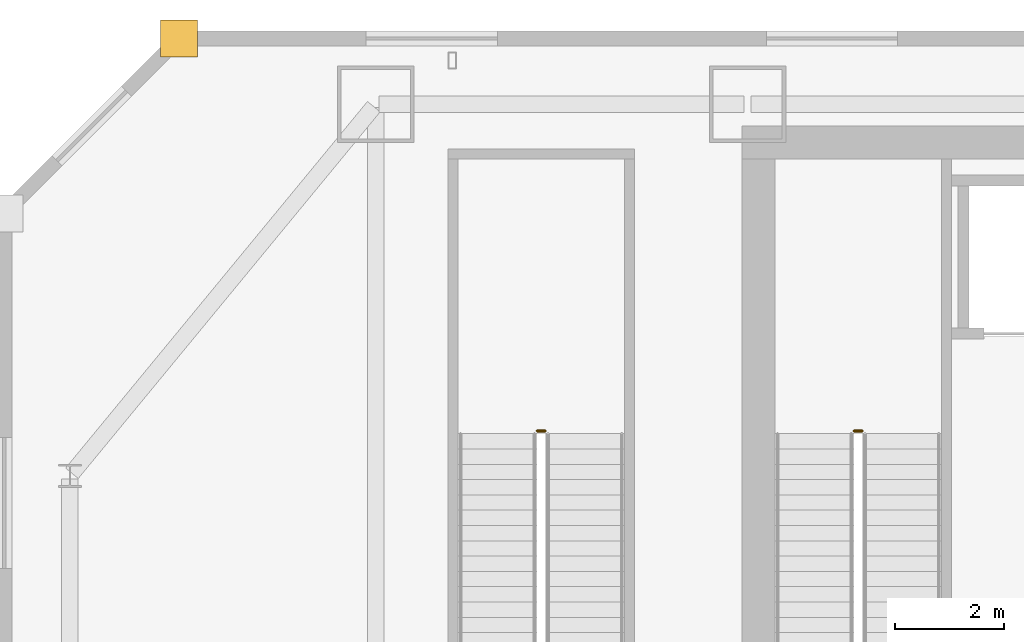
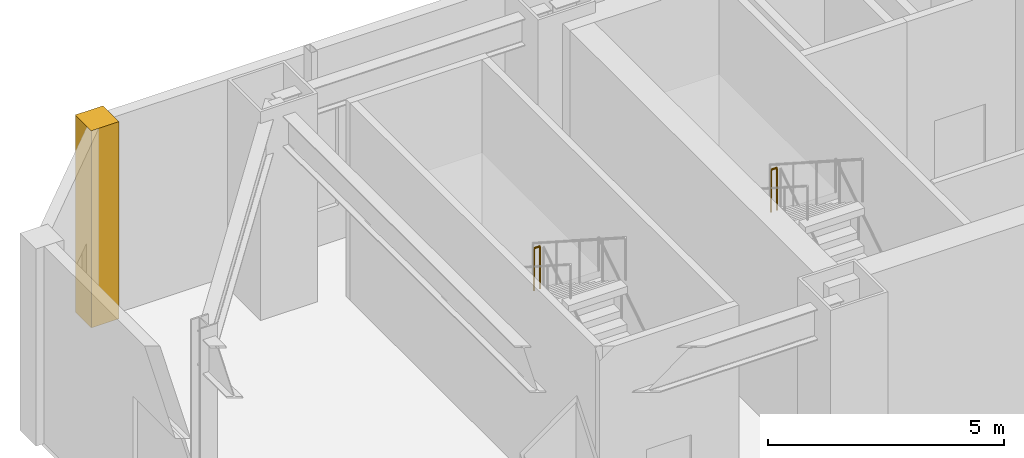
# One storey, part 48 of 52: 2 railings, 1 covering.
"""IFC4 building model written with IfcOpenShell, lengths in metres."""

from ifc_helpers import new_model, si_unit, direction, frame, origin, origin_2d, place, context, subcontext, project, spatial, polyline, circle, outline, extrude, material, layer, layer_set, type_object, element, save


model = new_model("IFC4")

# Units and contexts
model_context = context("Model", 3, precision=1e-05, world=origin(), true_north=direction((0.0, 1.0)))
body_context = subcontext(model_context, "Body", "Model", "MODEL_VIEW")
ifc_project = project(units=[si_unit("LENGTHUNIT", "METRE"), si_unit("AREAUNIT", "SQUARE_METRE"), si_unit("VOLUMEUNIT", "CUBIC_METRE"), si_unit("PLANEANGLEUNIT", "RADIAN"), si_unit("MASSUNIT", "GRAM", prefix="KILO")], contexts=[model_context])

# Site, building, storey
site_placement = place(None, origin())
site = spatial("IfcSite", under=ifc_project, at=site_placement, CompositionType="ELEMENT")
building_placement = place(site_placement, origin())
building = spatial("IfcBuilding", under=site, at=building_placement, Name="Saevonmaru Cultural Tower", CompositionType="ELEMENT")
storey_placement = place(building_placement, frame((0.0, 0.0, 11.39990234375)))
storey = spatial("IfcBuildingStorey", under=building, at=storey_placement, Name="L02", CompositionType="ELEMENT", Elevation=11.39990234375)

# Covering
ifc_material_1 = material(Name="Satin Bronze Anodised Aluminium", Category="aluminium")
ifc_layer = layer(ifc_material_1, 0.679931640625, Name="Satin Bronze Anodised Aluminium")
ifc_layer_set = layer_set([ifc_layer], Name="Satin Bronze Anodised Aluminium")
covering_type = type_object("IfcCoveringType", Name="CV-CORNER-CLAD", PredefinedType="CLADDING", material=ifc_layer_set)
covering_placement = place(storey_placement, origin())
element("IfcCovering", 1, at=covering_placement, inside=storey, type_object=covering_type, Name="L02 Podium Bronze Corner Cladding Pier 7", PredefinedType="CLADDING", context=body_context, shape_type="SweptSolid", body=[
    extrude(outline(polyline([(2.860107421875, 55.659912109375), (3.5400390625, 55.659912109375), (3.5400390625, 56.340087890625), (2.860107421875, 56.340087890625), (2.860107421875, 55.659912109375)])), origin(), (0.0, 0.0, 1.0), 5.10009765625),
])

# Railings
ifc_material_2 = material(Name="Architectural Painted Steel", Category="steel")
railing_type = type_object("IfcRailingType", Name="RL-STAIR-GUARD", PredefinedType="GUARDRAIL", material=ifc_material_2)
for number, where, name in (
    (2, (15.699951171875, 48.820068359375, 2.7001953125), "L02 ST-1 stair guard 2"),
    (3, (9.89990234375, 48.820068359375, 2.7001953125), "L02 ST-3 stair guard 2"),
):
    element("IfcRailing", number, at=place(storey_placement, frame(where)), inside=storey, type_object=railing_type, Name=name, PredefinedType="GUARDRAIL", context=body_context, shape_type="SweptSolid", body=[
        extrude(circle(Radius=0.02392578125, at=origin_2d()), frame((0.0, 0.0, 1.09619140625), z_axis=(-1.0, 0.0, 0.0), x_axis=(0.0, -1.0, 0.0)), (0.0, 0.0, 1.0), 0.14990234375),
        extrude(circle(Radius=0.02099609375, at=origin_2d()), origin(), (0.0, 0.0, 1.0), 1.072021484375),
        extrude(circle(Radius=0.02099609375, at=origin_2d()), frame((-0.14990234375, 0.0, 0.0)), (0.0, 0.0, 1.0), 1.072021484375),
    ])

save(model, "model.ifc")
